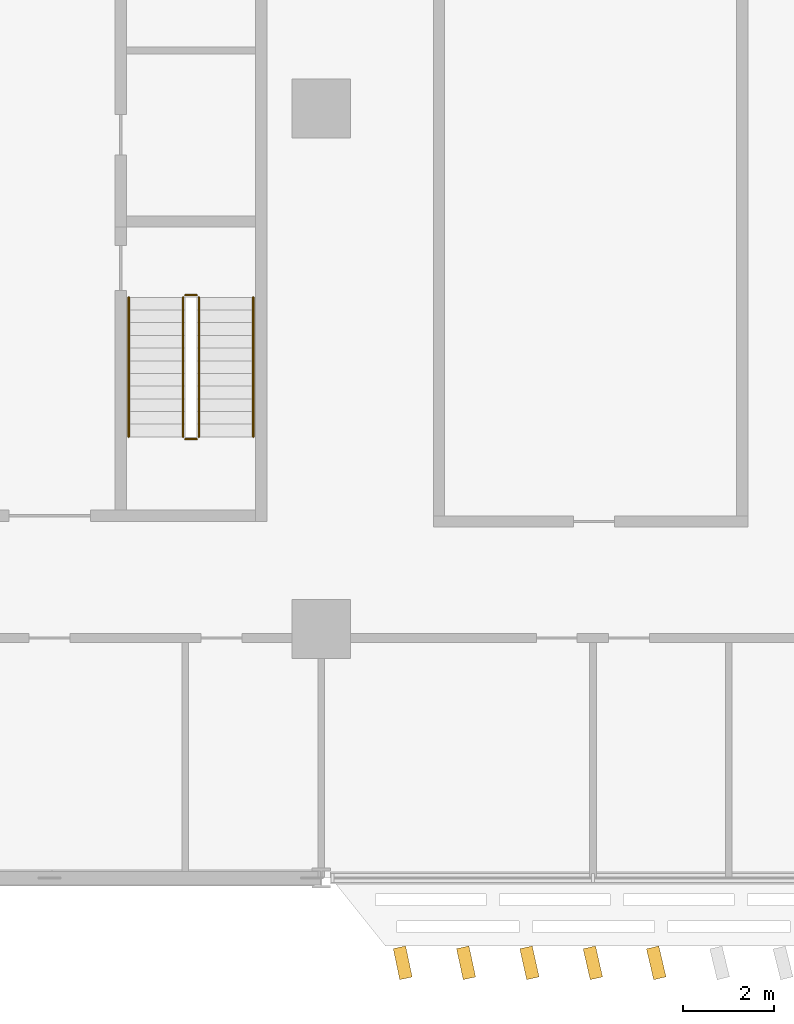
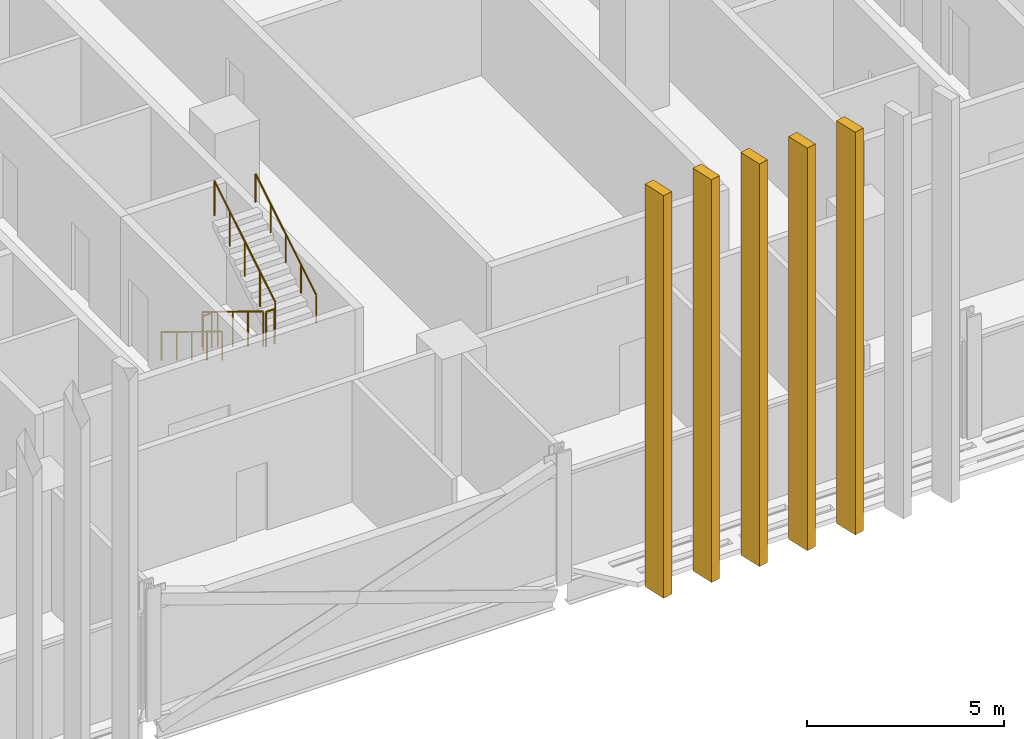
# One storey, part 27 of 32: 6 railings, 5 coverings.
"""IFC4 building model written with IfcOpenShell, lengths in metres."""

from ifc_helpers import new_model, si_unit, direction, frame, origin, origin_2d, place, context, subcontext, project, spatial, rectangle, circle, extrude, material, layer, layer_set, type_object, element, save


model = new_model("IFC4")

# Units and contexts
model_context = context("Model", 3, precision=1e-05, world=origin(), true_north=direction((0.0, 1.0)))
body_context = subcontext(model_context, "Body", "Model", "MODEL_VIEW")
ifc_project = project(units=[si_unit("LENGTHUNIT", "METRE"), si_unit("AREAUNIT", "SQUARE_METRE"), si_unit("VOLUMEUNIT", "CUBIC_METRE"), si_unit("PLANEANGLEUNIT", "RADIAN"), si_unit("MASSUNIT", "GRAM", prefix="KILO")], contexts=[model_context])

# Site, building, storey
site_placement = place(None, origin())
site = spatial("IfcSite", under=ifc_project, at=site_placement, CompositionType="ELEMENT")
building_placement = place(site_placement, origin())
building = spatial("IfcBuilding", under=site, at=building_placement, Name="Mahtab Terrace Research Tower", CompositionType="ELEMENT")
storey_placement = place(building_placement, frame((0.0, 0.0, 138.39990234375)))
storey = spatial("IfcBuildingStorey", under=building, at=storey_placement, Name="L32", CompositionType="ELEMENT", Elevation=138.39990234375)

# Railings
ifc_material_1 = material(Name="Stainless steel AISI 304", Category="steel")
railing_type_1 = type_object("IfcRailingType", Name="Stair guard 1100", PredefinedType="GUARDRAIL", material=ifc_material_1)
railing_1_placement = place(storey_placement, frame((2.949951171875, -4.175048828125, 0.1708984375)))
element("IfcRailing", 1, at=railing_1_placement, inside=storey, type_object=railing_type_1, Name="L32 ST2 stair guard 1", PredefinedType="GUARDRAIL", context=body_context, shape_type="SweptSolid", body=[
    extrude(circle(Radius=0.02392578125, at=origin_2d()), frame((0.0, 0.0, 1.076171875), z_axis=(0.0, -0.853647949592, 0.520850437417), x_axis=(1.0, 0.0, 0.0)), (0.0, 0.0, 1.0), 3.60791015625),
    extrude(circle(Radius=0.02099609375, at=origin_2d()), origin(), (0.0, 0.0, 1.0), 1.052001953125),
    extrude(circle(Radius=0.02099609375, at=origin_2d()), frame((0.0, -0.77001953125, 0.4697265625)), (0.0, 0.0, 1.0), 1.052001953125),
    extrude(circle(Radius=0.02099609375, at=origin_2d()), frame((0.0, -1.5400390625, 0.939453125)), (0.0, 0.0, 1.0), 1.052001953125),
    extrude(circle(Radius=0.02099609375, at=origin_2d()), frame((0.0, -2.309814453125, 1.409423828125)), (0.0, 0.0, 1.0), 1.052001953125),
    extrude(circle(Radius=0.02099609375, at=origin_2d()), frame((0.0, -3.079833984375, 1.879150390625)), (0.0, 0.0, 1.0), 1.052001953125),
])
railing_2_placement = place(storey_placement, frame((3.0, -7.304931640625, 2.050048828125)))
element("IfcRailing", 2, at=railing_2_placement, inside=storey, type_object=railing_type_1, Name="L32 ST2 stair guard 2", PredefinedType="GUARDRAIL", context=body_context, shape_type="SweptSolid", body=[
    extrude(circle(Radius=0.02392578125, at=origin_2d()), frame((0.0, 0.0, 1.076171875), z_axis=(1.0, 0.0, 0.0), x_axis=(0.0, 1.0, 0.0)), (0.0, 0.0, 1.0), 0.25),
    extrude(circle(Radius=0.02099609375, at=origin_2d()), origin(), (0.0, 0.0, 1.0), 1.052001953125),
    extrude(circle(Radius=0.02099609375, at=origin_2d()), frame((0.25, 0.0, 0.0)), (0.0, 0.0, 1.0), 1.052001953125),
])
railing_3_placement = place(storey_placement, frame((3.300048828125, -7.2548828125, 2.220947265625)))
element("IfcRailing", 3, at=railing_3_placement, inside=storey, type_object=railing_type_1, Name="L32 ST2 stair guard 3", PredefinedType="GUARDRAIL", context=body_context, shape_type="SweptSolid", body=[
    extrude(circle(Radius=0.02392578125, at=origin_2d()), frame((0.0, 0.0, 1.076171875), z_axis=(0.0, 0.853647949592, 0.520850437417), x_axis=(-1.0, 0.0, 0.0)), (0.0, 0.0, 1.0), 3.60791015625),
    extrude(circle(Radius=0.02099609375, at=origin_2d()), origin(), (0.0, 0.0, 1.0), 1.052001953125),
    extrude(circle(Radius=0.02099609375, at=origin_2d()), frame((0.0, 0.77001953125, 0.4697265625)), (0.0, 0.0, 1.0), 1.052001953125),
    extrude(circle(Radius=0.02099609375, at=origin_2d()), frame((0.0, 1.5400390625, 0.939453125)), (0.0, 0.0, 1.0), 1.052001953125),
    extrude(circle(Radius=0.02099609375, at=origin_2d()), frame((0.0, 2.309814453125, 1.409423828125)), (0.0, 0.0, 1.0), 1.052001953125),
    extrude(circle(Radius=0.02099609375, at=origin_2d()), frame((0.0, 3.079833984375, 1.879150390625)), (0.0, 0.0, 1.0), 1.052001953125),
])
railing_4_placement = place(storey_placement, frame((3.0, -4.125, 0.0)))
element("IfcRailing", 4, at=railing_4_placement, inside=storey, type_object=railing_type_1, Name="L32 ST2 stair guard 4", PredefinedType="GUARDRAIL", context=body_context, shape_type="SweptSolid", body=[
    extrude(circle(Radius=0.02392578125, at=origin_2d()), frame((0.0, 0.0, 1.076171875), z_axis=(1.0, 0.0, 0.0), x_axis=(0.0, 1.0, 0.0)), (0.0, 0.0, 1.0), 0.25),
    extrude(circle(Radius=0.02099609375, at=origin_2d()), origin(), (0.0, 0.0, 1.0), 1.052001953125),
    extrude(circle(Radius=0.02099609375, at=origin_2d()), frame((0.25, 0.0, 0.0)), (0.0, 0.0, 1.0), 1.052001953125),
])
railing_type_2 = type_object("IfcRailingType", Name="Stair handrail 900", PredefinedType="HANDRAIL", material=ifc_material_1)
railing_5_placement = place(storey_placement, frame((1.75, -4.175048828125, 0.1708984375)))
element("IfcRailing", 5, at=railing_5_placement, inside=storey, type_object=railing_type_2, Name="L32 ST2 stair handrail 1", PredefinedType="HANDRAIL", context=body_context, shape_type="SweptSolid", body=[
    extrude(circle(Radius=0.02392578125, at=origin_2d()), frame((0.0, 0.0, 0.8759765625), z_axis=(0.0, -0.853647949592, 0.520850437417), x_axis=(1.0, 0.0, 0.0)), (0.0, 0.0, 1.0), 3.60791015625),
    extrude(circle(Radius=0.02099609375, at=origin_2d()), origin(), (0.0, 0.0, 1.0), 0.851806640625),
    extrude(circle(Radius=0.02099609375, at=origin_2d()), frame((0.0, -0.77001953125, 0.4697265625)), (0.0, 0.0, 1.0), 0.851806640625),
    extrude(circle(Radius=0.02099609375, at=origin_2d()), frame((0.0, -1.5400390625, 0.939453125)), (0.0, 0.0, 1.0), 0.851806640625),
    extrude(circle(Radius=0.02099609375, at=origin_2d()), frame((0.0, -2.309814453125, 1.409423828125)), (0.0, 0.0, 1.0), 0.851806640625),
    extrude(circle(Radius=0.02099609375, at=origin_2d()), frame((0.0, -3.079833984375, 1.879150390625)), (0.0, 0.0, 1.0), 0.851806640625),
])
railing_6_placement = place(storey_placement, frame((4.5, -7.2548828125, 2.220947265625)))
element("IfcRailing", 6, at=railing_6_placement, inside=storey, type_object=railing_type_2, Name="L32 ST2 stair handrail 2", PredefinedType="HANDRAIL", context=body_context, shape_type="SweptSolid", body=[
    extrude(circle(Radius=0.02392578125, at=origin_2d()), frame((0.0, 0.0, 0.8759765625), z_axis=(0.0, 0.853647949592, 0.520850437417), x_axis=(-1.0, 0.0, 0.0)), (0.0, 0.0, 1.0), 3.60791015625),
    extrude(circle(Radius=0.02099609375, at=origin_2d()), origin(), (0.0, 0.0, 1.0), 0.851806640625),
    extrude(circle(Radius=0.02099609375, at=origin_2d()), frame((0.0, 0.77001953125, 0.4697265625)), (0.0, 0.0, 1.0), 0.851806640625),
    extrude(circle(Radius=0.02099609375, at=origin_2d()), frame((0.0, 1.5400390625, 0.939453125)), (0.0, 0.0, 1.0), 0.851806640625),
    extrude(circle(Radius=0.02099609375, at=origin_2d()), frame((0.0, 2.309814453125, 1.409423828125)), (0.0, 0.0, 1.0), 0.851806640625),
    extrude(circle(Radius=0.02099609375, at=origin_2d()), frame((0.0, 3.079833984375, 1.879150390625)), (0.0, 0.0, 1.0), 0.851806640625),
])

# Coverings
ifc_material_2 = material(Name="Bronze anodised aluminium", Category="aluminium")
ifc_layer = layer(ifc_material_2, 0.1201171875)
ifc_layer_set = layer_set([ifc_layer], Name="Vertical fin 700")
covering_type = type_object("IfcCoveringType", Name="Vertical fin 700", PredefinedType="CLADDING", material=ifc_layer_set)
for number, where, z_axis, x_axis, name in (
    (7, (7.800048828125, -18.871337890625, -0.14990234375), (0.0, 0.0, 1.0), (0.978662951719, 0.205472204767, 0.0), "Fin L32 S1"),
    (8, (9.199951171875, -18.87158203125, -0.14990234375), (0.0, 0.0, 1.0), (0.97745100758, 0.211162325667, 0.0), "Fin L32 S2"),
    (9, (10.60009765625, -18.8720703125, -0.14990234375), (0.0, 0.0, 1.0), (0.976205980352, 0.216845299523, 0.0), "Fin L32 S3"),
    (10, (12.0, -18.872314453125, -0.14990234375), (0.0, 0.0, 1.0), (0.974927912182, 0.222520933954, 0.0), "Fin L32 S4"),
    (11, (13.39990234375, -18.872802734375, -0.14990234375), (0.0, 0.0, 1.0), (0.973616846325, 0.228189036878, 0.0), "Fin L32 S5"),
):
    element("IfcCovering", number, at=place(storey_placement, frame(where, z_axis=z_axis, x_axis=x_axis)), inside=storey, type_object=covering_type, Name=name, PredefinedType="CLADDING", context=body_context, shape_type="SweptSolid", body=[
        extrude(rectangle(XDim=0.280029296875, YDim=0.699951171875, at=origin_2d()), origin(), (0.0, 0.0, 1.0), 12.449951171875),
    ])

save(model, "model.ifc")
